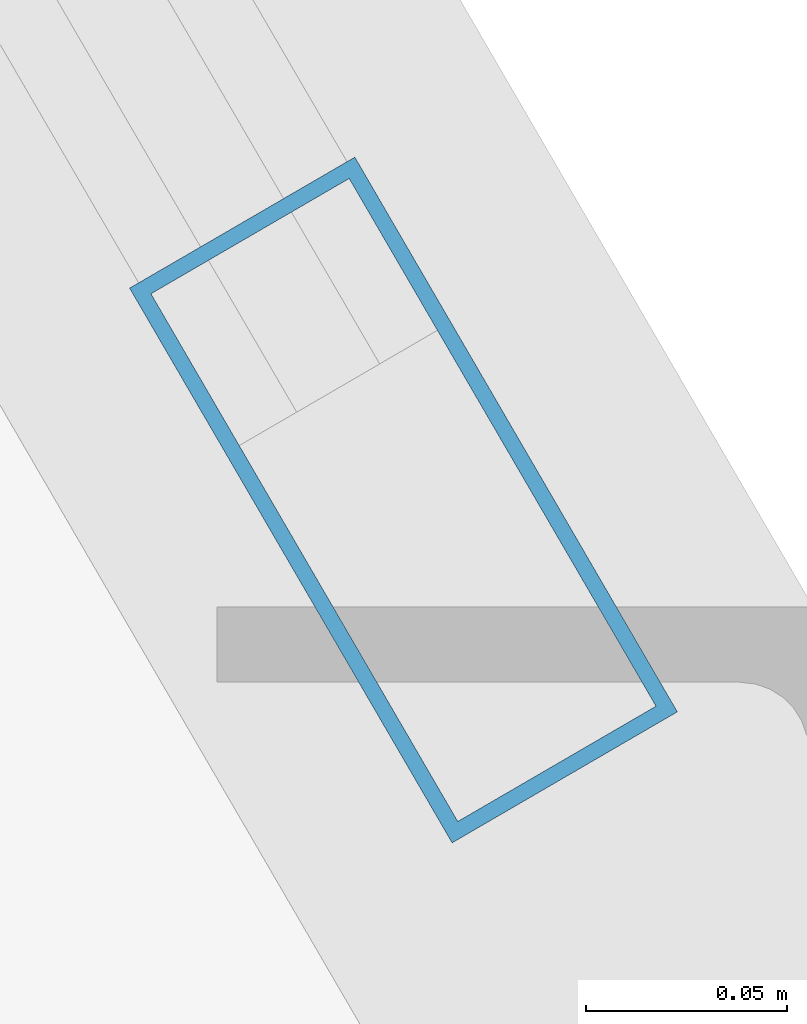
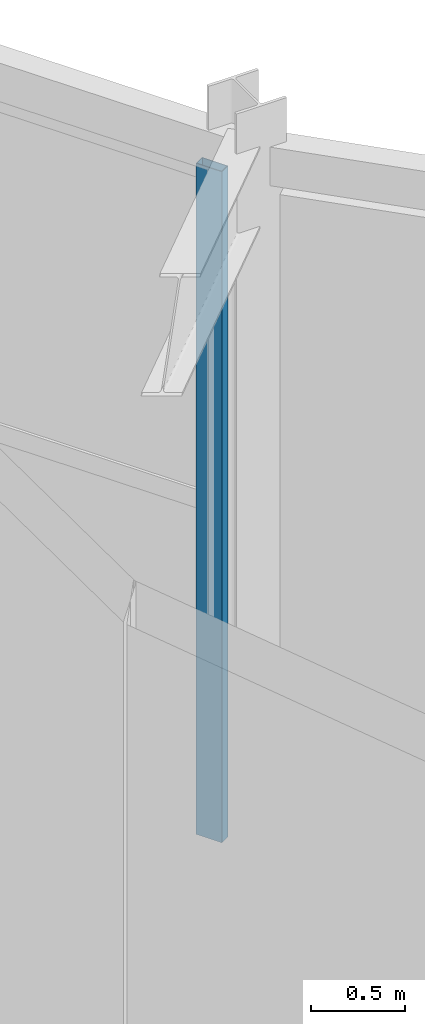
# One storey, part 31 of 144: 1 member, 1 element without a shape of its own.
"""IFC4 building model written with IfcOpenShell, lengths in metres."""

from ifc_helpers import new_model, si_unit, direction, frame, origin, origin_2d, place, context, subcontext, project, spatial, hollow_rectangle, extrude, material, material_profile, profile_set, type_object, element, aggregate, save


model = new_model("IFC4")

# Units and contexts
model_context = context("Model", 3, precision=1e-05, world=origin(), true_north=direction((0.0, 1.0)))
body_context = subcontext(model_context, "Body", "Model", "MODEL_VIEW")
ifc_project = project(units=[si_unit("LENGTHUNIT", "METRE"), si_unit("AREAUNIT", "SQUARE_METRE"), si_unit("VOLUMEUNIT", "CUBIC_METRE"), si_unit("PLANEANGLEUNIT", "RADIAN"), si_unit("MASSUNIT", "GRAM", prefix="KILO")], contexts=[model_context])

# Site, building, storey
site_placement = place(None, origin())
site = spatial("IfcSite", under=ifc_project, at=site_placement, CompositionType="ELEMENT")
building_placement = place(site_placement, origin())
building = spatial("IfcBuilding", under=site, at=building_placement, Name="Karori Crest Natural Sciences Institute", CompositionType="ELEMENT")
storey_placement = place(building_placement, origin())
storey = spatial("IfcBuildingStorey", under=building, at=storey_placement, Name="L00", CompositionType="ELEMENT", Elevation=0.0)

# Curtain wall, member
ifc_material = material(Name="Anodised architectural aluminium 6063-T6", Category="aluminium")
curtain_wall_type = type_object("IfcCurtainWallType", Name="CWT-15", PredefinedType="NOTDEFINED", material=ifc_material)
curtain_wall_placement = place(storey_placement, origin())
curtain_wall = element("IfcCurtainWall", 1, at=curtain_wall_placement, inside=storey, type_object=curtain_wall_type, Name="Curtain wall CW-0019", PredefinedType="NOTDEFINED")
ifc_material_profile = material_profile(ifc_material, hollow_rectangle(XDim=0.06494140625, YDim=0.159912109375, WallThickness=0.00390625, at=origin_2d()), Name="CWM160x65x4")
ifc_profile_set = profile_set([ifc_material_profile], Name="Anodised architectural aluminium 6063-T6")
member_type = type_object("IfcMemberType", Name="CWM-01", PredefinedType="MULLION", material=ifc_profile_set)
member_placement = place(storey_placement, frame((49.03955078125, 27.315185546875, 0.0), z_axis=(0.0, 0.0, 1.0), x_axis=(0.864484379326, 0.502659683982, 0.0)))
member = element("IfcMember", 2, at=member_placement, type_object=member_type, Name="CW-0019 mullion 3", PredefinedType="MULLION", context=body_context, shape_type="SweptSolid", body=[
    extrude(hollow_rectangle(XDim=0.06494140625, YDim=0.159912109375, WallThickness=0.00390625, at=origin_2d()), origin(), (0.0, 0.0, 1.0), 4.35009765625),
])
aggregate(curtain_wall, [member])

save(model, "model.ifc")
